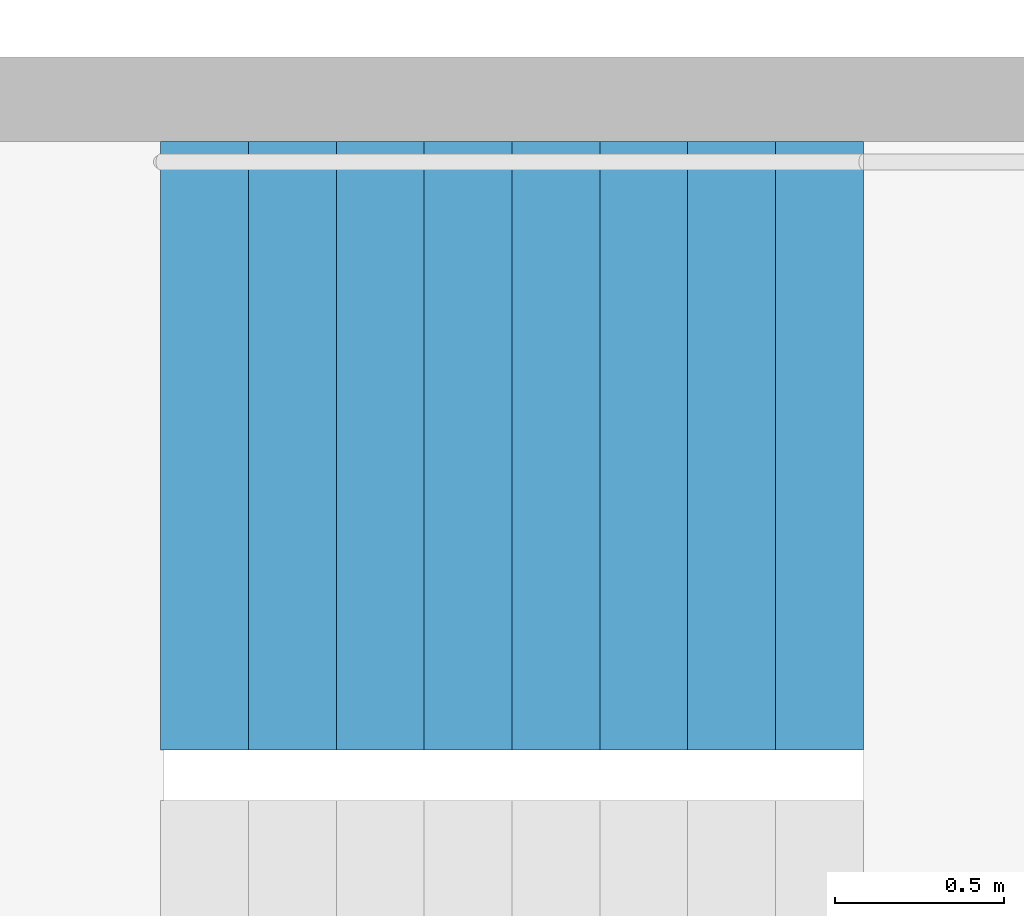
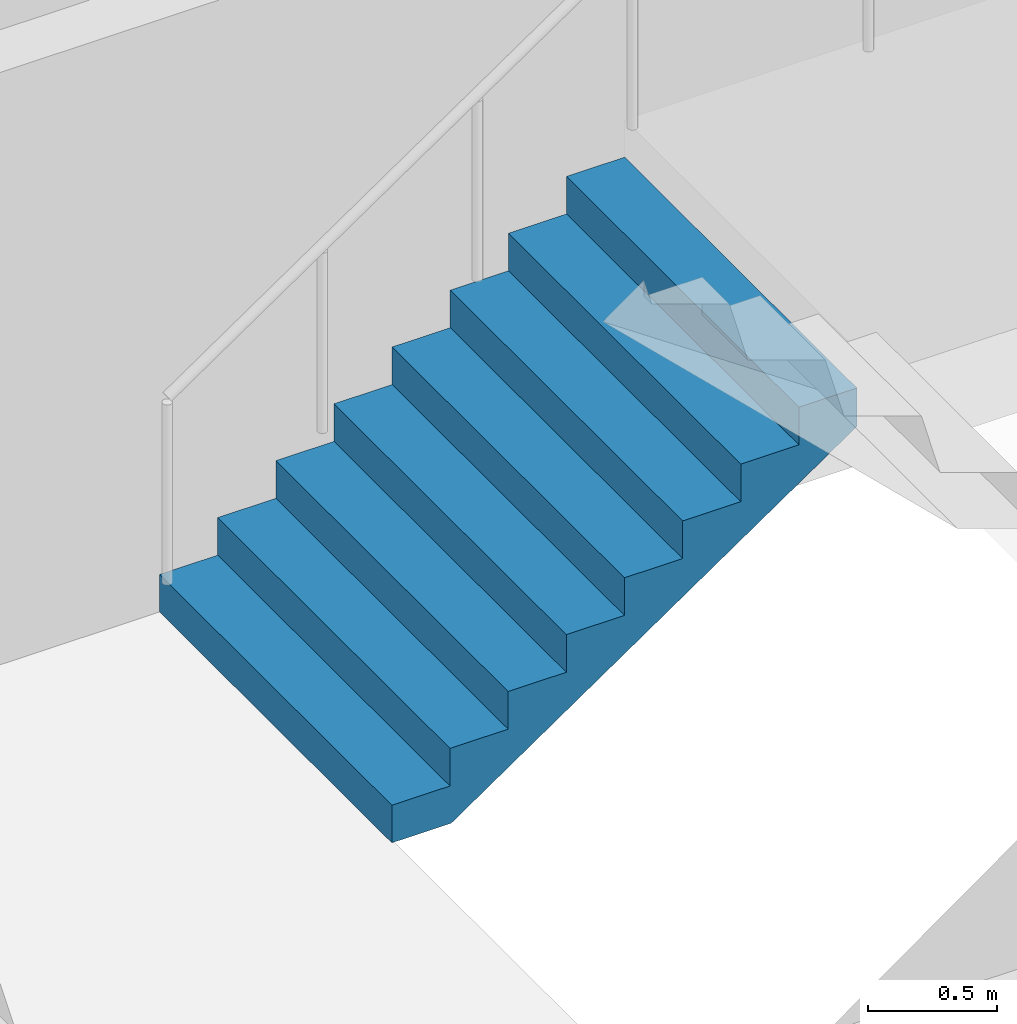
# One storey, part 26 of 29: 1 stair flight, 1 element without a shape of its own.
"""IFC4 building model written with IfcOpenShell, lengths in metres."""

from ifc_helpers import new_model, si_unit, direction, frame, origin, place, context, subcontext, project, spatial, triangles, material, type_object, element, aggregate, save


model = new_model("IFC4")

# Units and contexts
model_context = context("Model", 3, precision=1e-05, world=origin(), true_north=direction((0.0, 1.0)))
body_context = subcontext(model_context, "Body", "Model", "MODEL_VIEW")
ifc_project = project(units=[si_unit("LENGTHUNIT", "METRE"), si_unit("AREAUNIT", "SQUARE_METRE"), si_unit("VOLUMEUNIT", "CUBIC_METRE"), si_unit("PLANEANGLEUNIT", "RADIAN"), si_unit("MASSUNIT", "GRAM", prefix="KILO")], contexts=[model_context])

# Site, building, storey
site_placement = place(None, origin())
site = spatial("IfcSite", under=ifc_project, at=site_placement, CompositionType="ELEMENT")
building_placement = place(site_placement, origin())
building = spatial("IfcBuilding", under=site, at=building_placement, Name="Hakoniwa Tower and Hamabe Station Hall", CompositionType="ELEMENT")
storey_placement = place(building_placement, frame((0.0, 0.0, 97.800048828125)))
storey = spatial("IfcBuildingStorey", under=building, at=storey_placement, Name="L27", CompositionType="ELEMENT", Elevation=97.800048828125)

# Stair, stair flight
ifc_material_1 = material(Name="Concrete C40", Category="concrete")
stair_type = type_object("IfcStairType", Name="ESCAPE STAIR 1800", PredefinedType="HALF_TURN_STAIR", material=ifc_material_1)
stair_placement = place(storey_placement, origin())
stair = element("IfcStair", 1, at=stair_placement, inside=storey, type_object=stair_type, Name="Escape stair ST-4 L27", PredefinedType="HALF_TURN_STAIR")
ifc_material_2 = material(Name="Concrete C40", Category="concrete")
stair_flight_type = type_object("IfcStairFlightType", Name="STAIR FLIGHT 1800", PredefinedType="STRAIGHT", material=ifc_material_2)
stair_flight_placement = place(storey_placement, frame((23.39990234375, -4.64990234375, 0.0), z_axis=(0.0, 0.0, 1.0), x_axis=(1.0, 0.0, 0.0)))
stair_flight = element("IfcStairFlight", 2, at=stair_flight_placement, type_object=stair_flight_type, Name="ST-4 flight 1", NumberOfRisers=9, NumberOfTreads=8, PredefinedType="STRAIGHT", RiserHeight=0.177777778, TreadLength=0.26, context=body_context, shape_type="Tessellation", body=[
    triangles([(0.0, 0.89990234375, 0.0), (0.260009765625, 0.89990234375, 0.0), (0.265625, 0.89990234375, 0.0), (0.52001953125, 0.89990234375, 0.174072265625), (0.780029296875, 0.89990234375, 0.351806640625), (1.0400390625, 0.89990234375, 0.529541015625), (1.300048828125, 0.89990234375, 0.707275390625), (1.56005859375, 0.89990234375, 0.885009765625), (1.820068359375, 0.89990234375, 1.062744140625), (2.080078125, 0.89990234375, 1.24072265625), (2.080078125, 0.89990234375, 1.422119140625), (1.820068359375, 0.89990234375, 1.422119140625), (1.820068359375, 0.89990234375, 1.244384765625), (1.56005859375, 0.89990234375, 1.244384765625), (1.56005859375, 0.89990234375, 1.066650390625), (1.300048828125, 0.89990234375, 1.066650390625), (1.300048828125, 0.89990234375, 0.888916015625), (1.0400390625, 0.89990234375, 0.888916015625), (1.0400390625, 0.89990234375, 0.711181640625), (0.780029296875, 0.89990234375, 0.711181640625), (0.780029296875, 0.89990234375, 0.533447265625), (0.52001953125, 0.89990234375, 0.533447265625), (0.52001953125, 0.89990234375, 0.35546875), (0.265625, 0.89990234375, 0.35546875), (0.260009765625, 0.89990234375, 0.35546875), (0.260009765625, 0.89990234375, 0.177734375), (0.0, 0.89990234375, 0.177734375), (0.0, 0.06005859375, 0.0), (0.260009765625, 0.06005859375, 0.0), (0.265625, 0.06005859375, 0.0), (0.52001953125, 0.06005859375, 0.174072265625), (0.780029296875, 0.06005859375, 0.351806640625), (1.0400390625, 0.06005859375, 0.529541015625), (1.300048828125, 0.06005859375, 0.707275390625), (1.56005859375, 0.06005859375, 0.885009765625), (1.820068359375, 0.06005859375, 1.062744140625), (2.080078125, 0.06005859375, 1.24072265625), (2.080078125, 0.06005859375, 1.422119140625), (1.820068359375, 0.06005859375, 1.422119140625), (1.820068359375, 0.06005859375, 1.244384765625), (1.56005859375, 0.06005859375, 1.244384765625), (1.56005859375, 0.06005859375, 1.066650390625), (1.300048828125, 0.06005859375, 1.066650390625), (1.300048828125, 0.06005859375, 0.888916015625), (1.0400390625, 0.06005859375, 0.888916015625), (1.0400390625, 0.06005859375, 0.711181640625), (0.780029296875, 0.06005859375, 0.711181640625), (0.780029296875, 0.06005859375, 0.533447265625), (0.52001953125, 0.06005859375, 0.533447265625), (0.52001953125, 0.06005859375, 0.35546875), (0.265625, 0.06005859375, 0.35546875), (0.260009765625, 0.06005859375, 0.35546875), (0.260009765625, 0.06005859375, 0.177734375), (0.0, 0.06005859375, 0.177734375), (0.0, 0.04296875, 0.0), (0.260009765625, 0.04296875, 0.0), (0.265625, 0.04296875, 0.0), (0.52001953125, 0.04296875, 0.174072265625), (0.780029296875, 0.04296875, 0.351806640625), (1.0400390625, 0.04296875, 0.529541015625), (1.300048828125, 0.04296875, 0.707275390625), (1.56005859375, 0.04296875, 0.885009765625), (1.820068359375, 0.04296875, 1.062744140625), (2.080078125, 0.04296875, 1.24072265625), (2.080078125, 0.04296875, 1.422119140625), (1.820068359375, 0.04296875, 1.422119140625), (1.820068359375, 0.04296875, 1.244384765625), (1.56005859375, 0.04296875, 1.244384765625), (1.56005859375, 0.04296875, 1.066650390625), (1.300048828125, 0.04296875, 1.066650390625), (1.300048828125, 0.04296875, 0.888916015625), (1.0400390625, 0.04296875, 0.888916015625), (1.0400390625, 0.04296875, 0.711181640625), (0.780029296875, 0.04296875, 0.711181640625), (0.780029296875, 0.04296875, 0.533447265625), (0.52001953125, 0.04296875, 0.533447265625), (0.52001953125, 0.04296875, 0.35546875), (0.265625, 0.04296875, 0.35546875), (0.260009765625, 0.04296875, 0.35546875), (0.260009765625, 0.04296875, 0.177734375), (0.0, 0.04296875, 0.177734375), (0.0, 0.025634765625, 0.0), (0.260009765625, 0.025634765625, 0.0), (0.265625, 0.025634765625, 0.0), (0.52001953125, 0.025634765625, 0.174072265625), (0.780029296875, 0.025634765625, 0.351806640625), (1.0400390625, 0.025634765625, 0.529541015625), (1.300048828125, 0.025634765625, 0.707275390625), (1.56005859375, 0.025634765625, 0.885009765625), (1.820068359375, 0.025634765625, 1.062744140625), (2.080078125, 0.025634765625, 1.24072265625), (2.080078125, 0.025634765625, 1.422119140625), (1.820068359375, 0.025634765625, 1.422119140625), (1.820068359375, 0.025634765625, 1.244384765625), (1.56005859375, 0.025634765625, 1.244384765625), (1.56005859375, 0.025634765625, 1.066650390625), (1.300048828125, 0.025634765625, 1.066650390625), (1.300048828125, 0.025634765625, 0.888916015625), (1.0400390625, 0.025634765625, 0.888916015625), (1.0400390625, 0.025634765625, 0.711181640625), (0.780029296875, 0.025634765625, 0.711181640625), (0.780029296875, 0.025634765625, 0.533447265625), (0.52001953125, 0.025634765625, 0.533447265625), (0.52001953125, 0.025634765625, 0.35546875), (0.265625, 0.025634765625, 0.35546875), (0.260009765625, 0.025634765625, 0.35546875), (0.260009765625, 0.025634765625, 0.177734375), (0.0, 0.025634765625, 0.177734375), (0.0, 0.008544921875, 0.0), (0.260009765625, 0.008544921875, 0.0), (0.265625, 0.008544921875, 0.0), (0.52001953125, 0.008544921875, 0.174072265625), (0.780029296875, 0.008544921875, 0.351806640625), (1.0400390625, 0.008544921875, 0.529541015625), (1.300048828125, 0.008544921875, 0.707275390625), (1.56005859375, 0.008544921875, 0.885009765625), (1.820068359375, 0.008544921875, 1.062744140625), (2.080078125, 0.008544921875, 1.24072265625), (2.080078125, 0.008544921875, 1.422119140625), (1.820068359375, 0.008544921875, 1.422119140625), (1.820068359375, 0.008544921875, 1.244384765625), (1.56005859375, 0.008544921875, 1.244384765625), (1.56005859375, 0.008544921875, 1.066650390625), (1.300048828125, 0.008544921875, 1.066650390625), (1.300048828125, 0.008544921875, 0.888916015625), (1.0400390625, 0.008544921875, 0.888916015625), (1.0400390625, 0.008544921875, 0.711181640625), (0.780029296875, 0.008544921875, 0.711181640625), (0.780029296875, 0.008544921875, 0.533447265625), (0.52001953125, 0.008544921875, 0.533447265625), (0.52001953125, 0.008544921875, 0.35546875), (0.265625, 0.008544921875, 0.35546875), (0.260009765625, 0.008544921875, 0.35546875), (0.260009765625, 0.008544921875, 0.177734375), (0.0, 0.008544921875, 0.177734375), (0.0, -0.008544921875, 0.0), (0.260009765625, -0.008544921875, 0.0), (0.265625, -0.008544921875, 0.0), (0.52001953125, -0.008544921875, 0.174072265625), (0.780029296875, -0.008544921875, 0.351806640625), (1.0400390625, -0.008544921875, 0.529541015625), (1.300048828125, -0.008544921875, 0.707275390625), (1.56005859375, -0.008544921875, 0.885009765625), (1.820068359375, -0.008544921875, 1.062744140625), (2.080078125, -0.008544921875, 1.24072265625), (2.080078125, -0.008544921875, 1.422119140625), (1.820068359375, -0.008544921875, 1.422119140625), (1.820068359375, -0.008544921875, 1.244384765625), (1.56005859375, -0.008544921875, 1.244384765625), (1.56005859375, -0.008544921875, 1.066650390625), (1.300048828125, -0.008544921875, 1.066650390625), (1.300048828125, -0.008544921875, 0.888916015625), (1.0400390625, -0.008544921875, 0.888916015625), (1.0400390625, -0.008544921875, 0.711181640625), (0.780029296875, -0.008544921875, 0.711181640625), (0.780029296875, -0.008544921875, 0.533447265625), (0.52001953125, -0.008544921875, 0.533447265625), (0.52001953125, -0.008544921875, 0.35546875), (0.265625, -0.008544921875, 0.35546875), (0.260009765625, -0.008544921875, 0.35546875), (0.260009765625, -0.008544921875, 0.177734375), (0.0, -0.008544921875, 0.177734375), (0.0, -0.025634765625, 0.0), (0.260009765625, -0.025634765625, 0.0), (0.265625, -0.025634765625, 0.0), (0.52001953125, -0.025634765625, 0.174072265625), (0.780029296875, -0.025634765625, 0.351806640625), (1.0400390625, -0.025634765625, 0.529541015625), (1.300048828125, -0.025634765625, 0.707275390625), (1.56005859375, -0.025634765625, 0.885009765625), (1.820068359375, -0.025634765625, 1.062744140625), (2.080078125, -0.025634765625, 1.24072265625), (2.080078125, -0.025634765625, 1.422119140625), (1.820068359375, -0.025634765625, 1.422119140625), (1.820068359375, -0.025634765625, 1.244384765625), (1.56005859375, -0.025634765625, 1.244384765625), (1.56005859375, -0.025634765625, 1.066650390625), (1.300048828125, -0.025634765625, 1.066650390625), (1.300048828125, -0.025634765625, 0.888916015625), (1.0400390625, -0.025634765625, 0.888916015625), (1.0400390625, -0.025634765625, 0.711181640625), (0.780029296875, -0.025634765625, 0.711181640625), (0.780029296875, -0.025634765625, 0.533447265625), (0.52001953125, -0.025634765625, 0.533447265625), (0.52001953125, -0.025634765625, 0.35546875), (0.265625, -0.025634765625, 0.35546875), (0.260009765625, -0.025634765625, 0.35546875), (0.260009765625, -0.025634765625, 0.177734375), (0.0, -0.025634765625, 0.177734375), (0.0, -0.04296875, 0.0), (0.260009765625, -0.04296875, 0.0), (0.265625, -0.04296875, 0.0), (0.52001953125, -0.04296875, 0.174072265625), (0.780029296875, -0.04296875, 0.351806640625), (1.0400390625, -0.04296875, 0.529541015625), (1.300048828125, -0.04296875, 0.707275390625), (1.56005859375, -0.04296875, 0.885009765625), (1.820068359375, -0.04296875, 1.062744140625), (2.080078125, -0.04296875, 1.24072265625), (2.080078125, -0.04296875, 1.422119140625), (1.820068359375, -0.04296875, 1.422119140625), (1.820068359375, -0.04296875, 1.244384765625), (1.56005859375, -0.04296875, 1.244384765625), (1.56005859375, -0.04296875, 1.066650390625), (1.300048828125, -0.04296875, 1.066650390625), (1.300048828125, -0.04296875, 0.888916015625), (1.0400390625, -0.04296875, 0.888916015625), (1.0400390625, -0.04296875, 0.711181640625), (0.780029296875, -0.04296875, 0.711181640625), (0.780029296875, -0.04296875, 0.533447265625), (0.52001953125, -0.04296875, 0.533447265625), (0.52001953125, -0.04296875, 0.35546875), (0.265625, -0.04296875, 0.35546875), (0.260009765625, -0.04296875, 0.35546875), (0.260009765625, -0.04296875, 0.177734375), (0.0, -0.04296875, 0.177734375), (0.0, -0.06005859375, 0.0), (0.260009765625, -0.06005859375, 0.0), (0.265625, -0.06005859375, 0.0), (0.52001953125, -0.06005859375, 0.174072265625), (0.780029296875, -0.06005859375, 0.351806640625), (1.0400390625, -0.06005859375, 0.529541015625), (1.300048828125, -0.06005859375, 0.707275390625), (1.56005859375, -0.06005859375, 0.885009765625), (1.820068359375, -0.06005859375, 1.062744140625), (2.080078125, -0.06005859375, 1.24072265625), (2.080078125, -0.06005859375, 1.422119140625), (1.820068359375, -0.06005859375, 1.422119140625), (1.820068359375, -0.06005859375, 1.244384765625), (1.56005859375, -0.06005859375, 1.244384765625), (1.56005859375, -0.06005859375, 1.066650390625), (1.300048828125, -0.06005859375, 1.066650390625), (1.300048828125, -0.06005859375, 0.888916015625), (1.0400390625, -0.06005859375, 0.888916015625), (1.0400390625, -0.06005859375, 0.711181640625), (0.780029296875, -0.06005859375, 0.711181640625), (0.780029296875, -0.06005859375, 0.533447265625), (0.52001953125, -0.06005859375, 0.533447265625), (0.52001953125, -0.06005859375, 0.35546875), (0.265625, -0.06005859375, 0.35546875), (0.260009765625, -0.06005859375, 0.35546875), (0.260009765625, -0.06005859375, 0.177734375), (0.0, -0.06005859375, 0.177734375), (0.0, -0.89990234375, 0.0), (0.260009765625, -0.89990234375, 0.0), (0.265625, -0.89990234375, 0.0), (0.52001953125, -0.89990234375, 0.174072265625), (0.780029296875, -0.89990234375, 0.351806640625), (1.0400390625, -0.89990234375, 0.529541015625), (1.300048828125, -0.89990234375, 0.707275390625), (1.56005859375, -0.89990234375, 0.885009765625), (1.820068359375, -0.89990234375, 1.062744140625), (2.080078125, -0.89990234375, 1.24072265625), (2.080078125, -0.89990234375, 1.422119140625), (1.820068359375, -0.89990234375, 1.422119140625), (1.820068359375, -0.89990234375, 1.244384765625), (1.56005859375, -0.89990234375, 1.244384765625), (1.56005859375, -0.89990234375, 1.066650390625), (1.300048828125, -0.89990234375, 1.066650390625), (1.300048828125, -0.89990234375, 0.888916015625), (1.0400390625, -0.89990234375, 0.888916015625), (1.0400390625, -0.89990234375, 0.711181640625), (0.780029296875, -0.89990234375, 0.711181640625), (0.780029296875, -0.89990234375, 0.533447265625), (0.52001953125, -0.89990234375, 0.533447265625), (0.52001953125, -0.89990234375, 0.35546875), (0.265625, -0.89990234375, 0.35546875), (0.260009765625, -0.89990234375, 0.35546875), (0.260009765625, -0.89990234375, 0.177734375), (0.0, -0.89990234375, 0.177734375)], [[2, 27, 26], [245, 269, 270], [2, 1, 27], [245, 270, 244], [3, 25, 24], [246, 267, 268], [3, 26, 25], [246, 268, 269], [3, 2, 26], [246, 269, 245], [4, 24, 23], [247, 266, 267], [4, 3, 24], [247, 267, 246], [5, 22, 21], [248, 264, 265], [5, 23, 22], [248, 265, 266], [5, 4, 23], [248, 266, 247], [6, 20, 19], [249, 262, 263], [6, 21, 20], [249, 263, 264], [6, 5, 21], [249, 264, 248], [7, 18, 17], [250, 260, 261], [7, 19, 18], [250, 261, 262], [7, 6, 19], [250, 262, 249], [8, 16, 15], [251, 258, 259], [8, 17, 16], [251, 259, 260], [8, 7, 17], [251, 260, 250], [9, 14, 13], [252, 256, 257], [9, 15, 14], [252, 257, 258], [9, 8, 15], [252, 258, 251], [10, 12, 11], [253, 254, 255], [10, 13, 12], [253, 255, 256], [10, 9, 13], [253, 256, 252], [1, 2, 29], [1, 29, 28], [28, 29, 56], [28, 56, 55], [55, 56, 83], [55, 83, 82], [82, 83, 110], [82, 110, 109], [109, 110, 137], [109, 137, 136], [136, 137, 164], [136, 164, 163], [163, 164, 191], [163, 191, 190], [190, 191, 218], [190, 218, 217], [217, 218, 245], [217, 245, 244], [2, 3, 30], [2, 30, 29], [29, 30, 57], [29, 57, 56], [56, 57, 84], [56, 84, 83], [83, 84, 111], [83, 111, 110], [110, 111, 138], [110, 138, 137], [137, 138, 165], [137, 165, 164], [164, 165, 192], [164, 192, 191], [191, 192, 219], [191, 219, 218], [218, 219, 246], [218, 246, 245], [3, 4, 31], [3, 31, 30], [30, 31, 58], [30, 58, 57], [57, 58, 85], [57, 85, 84], [84, 85, 112], [84, 112, 111], [111, 112, 139], [111, 139, 138], [138, 139, 166], [138, 166, 165], [165, 166, 193], [165, 193, 192], [192, 193, 220], [192, 220, 219], [219, 220, 247], [219, 247, 246], [4, 5, 32], [4, 32, 31], [31, 32, 59], [31, 59, 58], [58, 59, 86], [58, 86, 85], [85, 86, 113], [85, 113, 112], [112, 113, 140], [112, 140, 139], [139, 140, 167], [139, 167, 166], [166, 167, 194], [166, 194, 193], [193, 194, 221], [193, 221, 220], [220, 221, 248], [220, 248, 247], [5, 6, 33], [5, 33, 32], [32, 33, 60], [32, 60, 59], [59, 60, 87], [59, 87, 86], [86, 87, 114], [86, 114, 113], [113, 114, 141], [113, 141, 140], [140, 141, 168], [140, 168, 167], [167, 168, 195], [167, 195, 194], [194, 195, 222], [194, 222, 221], [221, 222, 249], [221, 249, 248], [6, 7, 34], [6, 34, 33], [33, 34, 61], [33, 61, 60], [60, 61, 88], [60, 88, 87], [87, 88, 115], [87, 115, 114], [114, 115, 142], [114, 142, 141], [141, 142, 169], [141, 169, 168], [168, 169, 196], [168, 196, 195], [195, 196, 223], [195, 223, 222], [222, 223, 250], [222, 250, 249], [7, 8, 35], [7, 35, 34], [34, 35, 62], [34, 62, 61], [61, 62, 89], [61, 89, 88], [88, 89, 116], [88, 116, 115], [115, 116, 143], [115, 143, 142], [142, 143, 170], [142, 170, 169], [169, 170, 197], [169, 197, 196], [196, 197, 224], [196, 224, 223], [223, 224, 251], [223, 251, 250], [8, 9, 36], [8, 36, 35], [35, 36, 63], [35, 63, 62], [62, 63, 90], [62, 90, 89], [89, 90, 117], [89, 117, 116], [116, 117, 144], [116, 144, 143], [143, 144, 171], [143, 171, 170], [170, 171, 198], [170, 198, 197], [197, 198, 225], [197, 225, 224], [224, 225, 252], [224, 252, 251], [9, 10, 37], [9, 37, 36], [36, 37, 64], [36, 64, 63], [63, 64, 91], [63, 91, 90], [90, 91, 118], [90, 118, 117], [117, 118, 145], [117, 145, 144], [144, 145, 172], [144, 172, 171], [171, 172, 199], [171, 199, 198], [198, 199, 226], [198, 226, 225], [225, 226, 253], [225, 253, 252], [10, 11, 38], [10, 38, 37], [37, 38, 65], [37, 65, 64], [64, 65, 92], [64, 92, 91], [91, 92, 119], [91, 119, 118], [118, 119, 146], [118, 146, 145], [145, 146, 173], [145, 173, 172], [172, 173, 200], [172, 200, 199], [199, 200, 227], [199, 227, 226], [226, 227, 254], [226, 254, 253], [11, 12, 39], [11, 39, 38], [38, 39, 66], [38, 66, 65], [65, 66, 93], [65, 93, 92], [92, 93, 120], [92, 120, 119], [119, 120, 147], [119, 147, 146], [146, 147, 174], [146, 174, 173], [173, 174, 201], [173, 201, 200], [200, 201, 228], [200, 228, 227], [227, 228, 255], [227, 255, 254], [12, 13, 40], [12, 40, 39], [39, 40, 67], [39, 67, 66], [66, 67, 94], [66, 94, 93], [93, 94, 121], [93, 121, 120], [120, 121, 148], [120, 148, 147], [147, 148, 175], [147, 175, 174], [174, 175, 202], [174, 202, 201], [201, 202, 229], [201, 229, 228], [228, 229, 256], [228, 256, 255], [13, 14, 41], [13, 41, 40], [40, 41, 68], [40, 68, 67], [67, 68, 95], [67, 95, 94], [94, 95, 122], [94, 122, 121], [121, 122, 149], [121, 149, 148], [148, 149, 176], [148, 176, 175], [175, 176, 203], [175, 203, 202], [202, 203, 230], [202, 230, 229], [229, 230, 257], [229, 257, 256], [14, 15, 42], [14, 42, 41], [41, 42, 69], [41, 69, 68], [68, 69, 96], [68, 96, 95], [95, 96, 123], [95, 123, 122], [122, 123, 150], [122, 150, 149], [149, 150, 177], [149, 177, 176], [176, 177, 204], [176, 204, 203], [203, 204, 231], [203, 231, 230], [230, 231, 258], [230, 258, 257], [15, 16, 43], [15, 43, 42], [42, 43, 70], [42, 70, 69], [69, 70, 97], [69, 97, 96], [96, 97, 124], [96, 124, 123], [123, 124, 151], [123, 151, 150], [150, 151, 178], [150, 178, 177], [177, 178, 205], [177, 205, 204], [204, 205, 232], [204, 232, 231], [231, 232, 259], [231, 259, 258], [16, 17, 44], [16, 44, 43], [43, 44, 71], [43, 71, 70], [70, 71, 98], [70, 98, 97], [97, 98, 125], [97, 125, 124], [124, 125, 152], [124, 152, 151], [151, 152, 179], [151, 179, 178], [178, 179, 206], [178, 206, 205], [205, 206, 233], [205, 233, 232], [232, 233, 260], [232, 260, 259], [17, 18, 45], [17, 45, 44], [44, 45, 72], [44, 72, 71], [71, 72, 99], [71, 99, 98], [98, 99, 126], [98, 126, 125], [125, 126, 153], [125, 153, 152], [152, 153, 180], [152, 180, 179], [179, 180, 207], [179, 207, 206], [206, 207, 234], [206, 234, 233], [233, 234, 261], [233, 261, 260], [18, 19, 46], [18, 46, 45], [45, 46, 73], [45, 73, 72], [72, 73, 100], [72, 100, 99], [99, 100, 127], [99, 127, 126], [126, 127, 154], [126, 154, 153], [153, 154, 181], [153, 181, 180], [180, 181, 208], [180, 208, 207], [207, 208, 235], [207, 235, 234], [234, 235, 262], [234, 262, 261], [19, 20, 47], [19, 47, 46], [46, 47, 74], [46, 74, 73], [73, 74, 101], [73, 101, 100], [100, 101, 128], [100, 128, 127], [127, 128, 155], [127, 155, 154], [154, 155, 182], [154, 182, 181], [181, 182, 209], [181, 209, 208], [208, 209, 236], [208, 236, 235], [235, 236, 263], [235, 263, 262], [20, 21, 48], [20, 48, 47], [47, 48, 75], [47, 75, 74], [74, 75, 102], [74, 102, 101], [101, 102, 129], [101, 129, 128], [128, 129, 156], [128, 156, 155], [155, 156, 183], [155, 183, 182], [182, 183, 210], [182, 210, 209], [209, 210, 237], [209, 237, 236], [236, 237, 264], [236, 264, 263], [21, 22, 49], [21, 49, 48], [48, 49, 76], [48, 76, 75], [75, 76, 103], [75, 103, 102], [102, 103, 130], [102, 130, 129], [129, 130, 157], [129, 157, 156], [156, 157, 184], [156, 184, 183], [183, 184, 211], [183, 211, 210], [210, 211, 238], [210, 238, 237], [237, 238, 265], [237, 265, 264], [22, 23, 50], [22, 50, 49], [49, 50, 77], [49, 77, 76], [76, 77, 104], [76, 104, 103], [103, 104, 131], [103, 131, 130], [130, 131, 158], [130, 158, 157], [157, 158, 185], [157, 185, 184], [184, 185, 212], [184, 212, 211], [211, 212, 239], [211, 239, 238], [238, 239, 266], [238, 266, 265], [23, 24, 51], [23, 51, 50], [50, 51, 78], [50, 78, 77], [77, 78, 105], [77, 105, 104], [104, 105, 132], [104, 132, 131], [131, 132, 159], [131, 159, 158], [158, 159, 186], [158, 186, 185], [185, 186, 213], [185, 213, 212], [212, 213, 240], [212, 240, 239], [239, 240, 267], [239, 267, 266], [24, 25, 52], [24, 52, 51], [51, 52, 79], [51, 79, 78], [78, 79, 106], [78, 106, 105], [105, 106, 133], [105, 133, 132], [132, 133, 160], [132, 160, 159], [159, 160, 187], [159, 187, 186], [186, 187, 214], [186, 214, 213], [213, 214, 241], [213, 241, 240], [240, 241, 268], [240, 268, 267], [25, 26, 53], [25, 53, 52], [52, 53, 80], [52, 80, 79], [79, 80, 107], [79, 107, 106], [106, 107, 134], [106, 134, 133], [133, 134, 161], [133, 161, 160], [160, 161, 188], [160, 188, 187], [187, 188, 215], [187, 215, 214], [214, 215, 242], [214, 242, 241], [241, 242, 269], [241, 269, 268], [26, 27, 54], [26, 54, 53], [53, 54, 81], [53, 81, 80], [80, 81, 108], [80, 108, 107], [107, 108, 135], [107, 135, 134], [134, 135, 162], [134, 162, 161], [161, 162, 189], [161, 189, 188], [188, 189, 216], [188, 216, 215], [215, 216, 243], [215, 243, 242], [242, 243, 270], [242, 270, 269], [27, 1, 28], [27, 28, 54], [54, 28, 55], [54, 55, 81], [81, 55, 82], [81, 82, 108], [108, 82, 109], [108, 109, 135], [135, 109, 136], [135, 136, 162], [162, 136, 163], [162, 163, 189], [189, 163, 190], [189, 190, 216], [216, 190, 217], [216, 217, 243], [243, 217, 244], [243, 244, 270]], closed=True),
])
aggregate(stair, [stair_flight])

save(model, "model.ifc")
